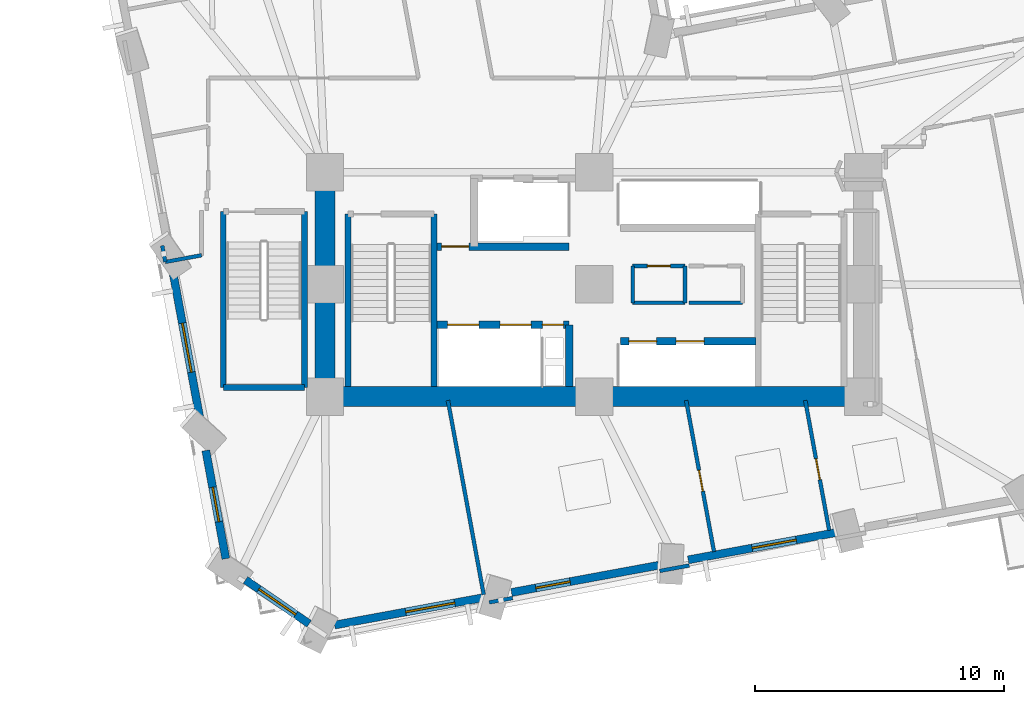
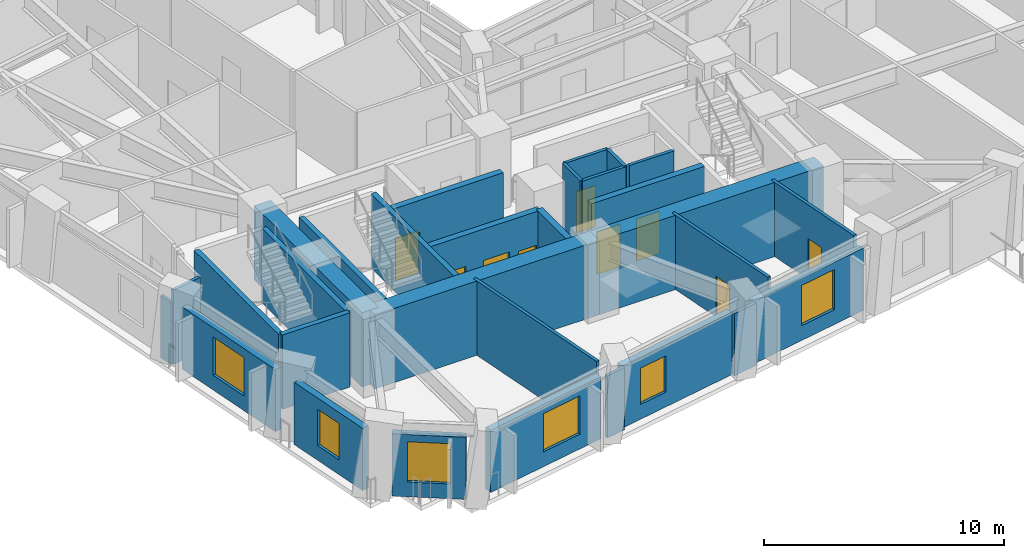
# One storey, part 7 of 16: 30 walls, 9 doors, 6 windows, 15 openings.
"""IFC4 building model written with IfcOpenShell, lengths in metres."""

from ifc_helpers import new_model, si_unit, direction, frame, frame_2d, origin, place, context, subcontext, project, spatial, rectangle, extrude, material, layer, layer_set, type_object, element, fill, save


model = new_model("IFC4")

# Units and contexts
model_context = context("Model", 3, precision=1e-05, world=origin(), true_north=direction((0.0, 1.0)))
body_context = subcontext(model_context, "Body", "Model", "MODEL_VIEW")
ifc_project = project(units=[si_unit("LENGTHUNIT", "METRE"), si_unit("AREAUNIT", "SQUARE_METRE"), si_unit("VOLUMEUNIT", "CUBIC_METRE"), si_unit("PLANEANGLEUNIT", "RADIAN"), si_unit("MASSUNIT", "GRAM", prefix="KILO")], contexts=[model_context])

# Site, building, storey
site_placement = place(None, origin())
site = spatial("IfcSite", under=ifc_project, at=site_placement, CompositionType="ELEMENT")
building_placement = place(site_placement, origin())
building = spatial("IfcBuilding", under=site, at=building_placement, Name="Gaonmaruhae Medical Tower", CompositionType="ELEMENT")
storey_placement = place(building_placement, frame((0.0, 0.0, 67.0)))
storey = spatial("IfcBuildingStorey", under=building, at=storey_placement, Name="L15", CompositionType="ELEMENT", Elevation=67.0)

# Walls
ifc_material_1 = material(Name="Concrete C60/75", Category="concrete")
ifc_layer_1 = layer(ifc_material_1, 0.800048828125)
ifc_layer_set_1 = layer_set([ifc_layer_1], Name="Concrete C60/75")
wall_type_1 = type_object("IfcWallType", Name="CW-800 Lower Core Shear Wall", PredefinedType="SHEAR", material=ifc_layer_set_1)
for number, where, z_axis, x_axis, name in (
    (1, (14.0, 7.800048828125, 0.0), (0.0, 0.0, 1.0), (1.0, 0.0, 0.0), "L15 Core Shear Wall CSW-S1"),
    (2, (24.800048828125, 7.800048828125, 0.0), (0.0, 0.0, 1.0), (1.0, 0.0, 0.0), "L15 Core Shear Wall CSW-S2"),
):
    element("IfcWall", number, at=place(storey_placement, frame(where, z_axis=z_axis, x_axis=x_axis)), inside=storey, type_object=wall_type_1, Name=name, PredefinedType="SHEAR", context=body_context, shape_type="SweptSolid", body=[
        extrude(rectangle(XDim=10.800048828125, YDim=0.800048828125, at=frame_2d((5.39990234375, 0.0))), origin(), (0.0, 0.0, 1.0), 3.780029296875),
    ])
wall_1_placement = place(storey_placement, frame((14.0, 16.800048828125, 0.0), z_axis=(0.0, 0.0, 1.0), x_axis=(0.0, -1.0, 0.0)))
element("IfcWall", 3, at=wall_1_placement, inside=storey, type_object=wall_type_1, Name="L15 Core Shear Wall CSW-W1", PredefinedType="SHEAR", context=body_context, shape_type="SweptSolid", body=[
    extrude(rectangle(XDim=9.0, YDim=0.800048828125, at=frame_2d((4.5, 0.0))), origin(), (0.0, 0.0, 1.0), 3.780029296875),
])

# Wall, opening, window
ifc_material_2 = material(Name="Precast concrete C45/55", Category="concrete")
ifc_layer_2 = layer(ifc_material_2, 0.320068359375)
ifc_layer_set_2 = layer_set([ifc_layer_2], Name="Precast concrete C45/55")
wall_type_2 = type_object("IfcWallType", Name="EW-320 Lower Precast Masonry-Frame Facade Wall", PredefinedType="SOLIDWALL", material=ifc_layer_set_2)
wall_2_placement = place(storey_placement, frame((20.322021484375, -0.274169921875, 0.0), z_axis=(0.0, 0.0, 1.0), x_axis=(-0.983414279578, -0.181373522662, 0.0)))
wall_2 = element("IfcWall", 4, at=wall_2_placement, inside=storey, type_object=wall_type_2, Name="L15 Precast Masonry-Frame Wall S01-S02", PredefinedType="SOLIDWALL", context=body_context, shape_type="SweptSolid", body=[
    extrude(rectangle(XDim=6.034423828125, YDim=0.320068359375, at=frame_2d((3.01708984375, 0.0))), origin(), (0.0, 0.0, 1.0), 3.1650390625),
])
opening_1_placement = place(wall_2_placement, frame((1.13330078125, 0.0, 0.75)))
opening_1 = element("IfcOpeningElement", 5, at=opening_1_placement, cuts=wall_2, Name="Opening WN-02", PredefinedType="OPENING", context=body_context, shape_type="SweptSolid", body=[
    extrude(rectangle(XDim=2.0, YDim=1.949951171875, at=frame_2d((1.0, 0.97509765625))), frame((0.0, 0.169921875, 0.0), z_axis=(0.0, -1.0, 0.0), x_axis=(1.0, 0.0, 0.0)), (0.0, 0.0, 1.0), 0.340087890625),
])
ifc_material_3 = material(Name="Anodised aluminium and Low-E double glazing", Category="aluminium")
window_type_1 = type_object("IfcWindowType", Name="WN-02 Double-Bed Ward Punched Window 2000x1950", PartitioningType="SINGLE_PANEL", PredefinedType="WINDOW", material=ifc_material_3)
window_1_placement = place(opening_1_placement, origin())
window_1 = element("IfcWindow", 6, at=window_1_placement, inside=storey, type_object=window_type_1, Name="L15 Modular Facade Window S01", OverallHeight=1.949951171875, OverallWidth=2.0, PartitioningType="SINGLE_PANEL", PredefinedType="WINDOW", context=body_context, shape_type="SweptSolid", body=[
    extrude(rectangle(XDim=2.0, YDim=1.949951171875, at=frame_2d((1.0, 0.97509765625))), frame((0.0, 0.030029296875, 0.0), z_axis=(0.0, -1.0, 0.0), x_axis=(1.0, 0.0, 0.0)), (0.0, 0.0, 1.0), 0.06005859375),
])
fill(opening_1, window_1)

wall_3_placement = place(storey_placement, frame((27.39111328125, 1.029541015625, 0.0), z_axis=(0.0, 0.0, 1.0), x_axis=(-0.983411421396, -0.18138901915, 0.0)))
wall_3 = element("IfcWall", 7, at=wall_3_placement, inside=storey, type_object=wall_type_2, Name="L15 Precast Masonry-Frame Wall S02-S03", PredefinedType="SOLIDWALL", context=body_context, shape_type="SweptSolid", body=[
    extrude(rectangle(XDim=6.005615234375, YDim=0.320068359375, at=frame_2d((3.0029296875, 0.0))), origin(), (0.0, 0.0, 1.0), 3.1650390625),
])
opening_2_placement = place(wall_3_placement, frame((3.613037109375, 0.0, 0.75)))
opening_2 = element("IfcOpeningElement", 8, at=opening_2_placement, cuts=wall_3, Name="Opening WN-03", PredefinedType="OPENING", context=body_context, shape_type="SweptSolid", body=[
    extrude(rectangle(XDim=1.39990234375, YDim=1.85009765625, at=frame_2d((0.699951171875, 0.925048828125))), frame((0.0, 0.169921875, 0.0), z_axis=(0.0, -1.0, 0.0), x_axis=(1.0, 0.0, 0.0)), (0.0, 0.0, 1.0), 0.340087890625),
])
window_type_2 = type_object("IfcWindowType", Name="WN-03 Isolation Ward Punched Window 1400x1850", PartitioningType="SINGLE_PANEL", PredefinedType="WINDOW", material=ifc_material_3)
window_2_placement = place(opening_2_placement, origin())
window_2 = element("IfcWindow", 9, at=window_2_placement, inside=storey, type_object=window_type_2, Name="L15 Modular Facade Window S02", OverallHeight=1.85009765625, OverallWidth=1.39990234375, PartitioningType="SINGLE_PANEL", PredefinedType="WINDOW", context=body_context, shape_type="SweptSolid", body=[
    extrude(rectangle(XDim=1.39990234375, YDim=1.85009765625, at=frame_2d((0.699951171875, 0.925048828125))), frame((0.0, 0.030029296875, 0.0), z_axis=(0.0, -1.0, 0.0), x_axis=(1.0, 0.0, 0.0)), (0.0, 0.0, 1.0), 0.06005859375),
])
fill(opening_2, window_2)

wall_4_placement = place(storey_placement, frame((34.46630859375, 2.33447265625, 0.0), z_axis=(0.0, 0.0, 1.0), x_axis=(-0.983412841191, -0.181381321478, 0.0)))
wall_4 = element("IfcWall", 10, at=wall_4_placement, inside=storey, type_object=wall_type_2, Name="L15 Precast Masonry-Frame Wall S03-S04", PredefinedType="SOLIDWALL", context=body_context, shape_type="SweptSolid", body=[
    extrude(rectangle(XDim=5.98974609375, YDim=0.320068359375, at=frame_2d((2.994873046875, 0.0))), origin(), (0.0, 0.0, 1.0), 3.1650390625),
])
opening_3_placement = place(wall_4_placement, frame((1.582275390625, 0.0, 0.75)))
opening_3 = element("IfcOpeningElement", 11, at=opening_3_placement, cuts=wall_4, Name="Opening WN-04", PredefinedType="OPENING", context=body_context, shape_type="SweptSolid", body=[
    extrude(rectangle(XDim=1.800048828125, YDim=2.050048828125, at=frame_2d((0.89990234375, 1.02490234375))), frame((0.0, 0.169921875, 0.0), z_axis=(0.0, -1.0, 0.0), x_axis=(1.0, 0.0, 0.0)), (0.0, 0.0, 1.0), 0.340087890625),
])
window_type_3 = type_object("IfcWindowType", Name="WN-04 Clinic & Consult Punched Window 1800x2050", PartitioningType="SINGLE_PANEL", PredefinedType="WINDOW", material=ifc_material_3)
window_3_placement = place(opening_3_placement, origin())
window_3 = element("IfcWindow", 12, at=window_3_placement, inside=storey, type_object=window_type_3, Name="L15 Modular Facade Window S03", OverallHeight=2.050048828125, OverallWidth=1.800048828125, PartitioningType="SINGLE_PANEL", PredefinedType="WINDOW", context=body_context, shape_type="SweptSolid", body=[
    extrude(rectangle(XDim=1.800048828125, YDim=2.050048828125, at=frame_2d((0.89990234375, 1.02490234375))), frame((0.0, 0.030029296875, 0.0), z_axis=(0.0, -1.0, 0.0), x_axis=(1.0, 0.0, 0.0)), (0.0, 0.0, 1.0), 0.06005859375),
])
fill(opening_3, window_3)

wall_5_placement = place(storey_placement, frame((9.0048828125, 6.81103515625, 0.0), z_axis=(0.0, 0.0, 1.0), x_axis=(-0.181406960864, 0.9834081119, 0.0)))
wall_5 = element("IfcWall", 13, at=wall_5_placement, inside=storey, type_object=wall_type_2, Name="L15 Precast Masonry-Frame Wall W05-W06", PredefinedType="SOLIDWALL", context=body_context, shape_type="SweptSolid", body=[
    extrude(rectangle(XDim=5.9970703125, YDim=0.320068359375, at=frame_2d((2.99853515625, 0.0))), origin(), (0.0, 0.0, 1.0), 3.1650390625),
])
opening_4_placement = place(wall_5_placement, frame((2.00048828125, 0.0, 0.75)))
opening_4 = element("IfcOpeningElement", 14, at=opening_4_placement, cuts=wall_5, Name="Opening WN-02", PredefinedType="OPENING", context=body_context, shape_type="SweptSolid", body=[
    extrude(rectangle(XDim=2.0, YDim=1.949951171875, at=frame_2d((1.0, 0.97509765625))), frame((0.0, 0.169921875, 0.0), z_axis=(0.0, -1.0, 0.0), x_axis=(1.0, 0.0, 0.0)), (0.0, 0.0, 1.0), 0.340087890625),
])
window_4_placement = place(opening_4_placement, origin())
window_4 = element("IfcWindow", 15, at=window_4_placement, inside=storey, type_object=window_type_1, Name="L15 Modular Facade Window W05", OverallHeight=1.949951171875, OverallWidth=2.0, PartitioningType="SINGLE_PANEL", PredefinedType="WINDOW", context=body_context, shape_type="SweptSolid", body=[
    extrude(rectangle(XDim=2.0, YDim=1.949951171875, at=frame_2d((1.0, 0.97509765625))), frame((0.0, 0.030029296875, 0.0), z_axis=(0.0, -1.0, 0.0), x_axis=(1.0, 0.0, 0.0)), (0.0, 0.0, 1.0), 0.06005859375),
])
fill(opening_4, window_4)

wall_6_placement = place(storey_placement, frame((10.0224609375, 1.293701171875, 0.0), z_axis=(0.0, 0.0, 1.0), x_axis=(-0.181380517101, 0.98341298955, 0.0)))
wall_6 = element("IfcWall", 16, at=wall_6_placement, inside=storey, type_object=wall_type_2, Name="L15 Precast Masonry-Frame Wall W06-W07", PredefinedType="SOLIDWALL", context=body_context, shape_type="SweptSolid", body=[
    extrude(rectangle(XDim=4.416259765625, YDim=0.320068359375, at=frame_2d((2.2080078125, 0.0))), origin(), (0.0, 0.0, 1.0), 3.1650390625),
])
opening_5_placement = place(wall_6_placement, frame((1.5107421875, 0.0, 0.75)))
opening_5 = element("IfcOpeningElement", 17, at=opening_5_placement, cuts=wall_6, Name="Opening WN-03", PredefinedType="OPENING", context=body_context, shape_type="SweptSolid", body=[
    extrude(rectangle(XDim=1.39990234375, YDim=1.85009765625, at=frame_2d((0.699951171875, 0.925048828125))), frame((0.0, 0.169921875, 0.0), z_axis=(0.0, -1.0, 0.0), x_axis=(1.0, 0.0, 0.0)), (0.0, 0.0, 1.0), 0.340087890625),
])
window_5_placement = place(opening_5_placement, origin())
window_5 = element("IfcWindow", 18, at=window_5_placement, inside=storey, type_object=window_type_2, Name="L15 Modular Facade Window W06", OverallHeight=1.85009765625, OverallWidth=1.39990234375, PartitioningType="SINGLE_PANEL", PredefinedType="WINDOW", context=body_context, shape_type="SweptSolid", body=[
    extrude(rectangle(XDim=1.39990234375, YDim=1.85009765625, at=frame_2d((0.699951171875, 0.925048828125))), frame((0.0, 0.030029296875, 0.0), z_axis=(0.0, -1.0, 0.0), x_axis=(1.0, 0.0, 0.0)), (0.0, 0.0, 1.0), 0.06005859375),
])
fill(opening_5, window_5)

wall_7_placement = place(storey_placement, frame((13.364990234375, -1.31689453125, 0.0), z_axis=(0.0, 0.0, 1.0), x_axis=(-0.823630261088, 0.567127140084, 0.0)))
wall_7 = element("IfcWall", 19, at=wall_7_placement, inside=storey, type_object=wall_type_2, Name="L15 Precast Masonry-Frame Wall W07-S01", PredefinedType="SOLIDWALL", context=body_context, shape_type="SweptSolid", body=[
    extrude(rectangle(XDim=3.09912109375, YDim=0.320068359375, at=frame_2d((1.549560546875, 0.0))), origin(), (0.0, 0.0, 1.0), 3.1650390625),
])
opening_6_placement = place(wall_7_placement, frame((0.649169921875, 0.0, 0.75)))
opening_6 = element("IfcOpeningElement", 20, at=opening_6_placement, cuts=wall_7, Name="Opening WN-04", PredefinedType="OPENING", context=body_context, shape_type="SweptSolid", body=[
    extrude(rectangle(XDim=1.800048828125, YDim=2.050048828125, at=frame_2d((0.89990234375, 1.02490234375))), frame((0.0, 0.169921875, 0.0), z_axis=(0.0, -1.0, 0.0), x_axis=(1.0, 0.0, 0.0)), (0.0, 0.0, 1.0), 0.340087890625),
])
window_6_placement = place(opening_6_placement, origin())
window_6 = element("IfcWindow", 21, at=window_6_placement, inside=storey, type_object=window_type_3, Name="L15 Modular Facade Window W07", OverallHeight=2.050048828125, OverallWidth=1.800048828125, PartitioningType="SINGLE_PANEL", PredefinedType="WINDOW", context=body_context, shape_type="SweptSolid", body=[
    extrude(rectangle(XDim=1.800048828125, YDim=2.050048828125, at=frame_2d((0.89990234375, 1.02490234375))), frame((0.0, 0.030029296875, 0.0), z_axis=(0.0, -1.0, 0.0), x_axis=(1.0, 0.0, 0.0)), (0.0, 0.0, 1.0), 0.06005859375),
])
fill(opening_6, window_6)

# Wall
ifc_material_4 = material(Name="Gypsum board partition", Category="gypsum")
ifc_layer_3 = layer(ifc_material_4, 0.14990234375)
ifc_layer_set_3 = layer_set([ifc_layer_3], Name="Gypsum board partition")
wall_type_3 = type_object("IfcWallType", Name="PW-150 Rated Clinical Corridor Partition", PredefinedType="PARTITIONING", material=ifc_layer_set_3)
wall_8_placement = place(storey_placement, frame((26.35009765625, 11.56005859375, 0.0), z_axis=(0.0, 0.0, 1.0), x_axis=(0.0, 1.0, 0.0)))
element("IfcWall", 22, at=wall_8_placement, inside=storey, type_object=wall_type_3, Name="L15 Interior Partition L15-CS1-1", PredefinedType="PARTITIONING", context=body_context, shape_type="SweptSolid", body=[
    extrude(rectangle(XDim=1.47998046875, YDim=0.14990234375, at=frame_2d((0.739990234375, 0.0))), origin(), (0.0, 0.0, 1.0), 3.780029296875),
])

# Wall, opening, door
wall_9_placement = place(storey_placement, frame((26.35009765625, 13.0400390625, 0.0), z_axis=(0.0, 0.0, 1.0), x_axis=(1.0, 0.0, 0.0)))
wall_9 = element("IfcWall", 23, at=wall_9_placement, inside=storey, type_object=wall_type_3, Name="L15 Interior Partition L15-CS1-2", PredefinedType="PARTITIONING", context=body_context, shape_type="SweptSolid", body=[
    extrude(rectangle(XDim=2.099853515625, YDim=0.14990234375, at=frame_2d((1.0498046875, 0.0))), origin(), (0.0, 0.0, 1.0), 3.780029296875),
])
opening_7_placement = place(wall_9_placement, frame((0.590087890625, 0.0, 0.0)))
opening_7 = element("IfcOpeningElement", 24, at=opening_7_placement, cuts=wall_9, Name="Opening UD-01", PredefinedType="OPENING", context=body_context, shape_type="SweptSolid", body=[
    extrude(rectangle(XDim=0.919921875, YDim=2.10009765625, at=frame_2d((0.4599609375, 1.050048828125))), frame((0.0, 0.0849609375, 0.0), z_axis=(0.0, -1.0, 0.0), x_axis=(1.0, 0.0, 0.0)), (0.0, 0.0, 1.0), 0.169921875),
])
ifc_material_5 = material(Name="Powder-coated steel utility door", Category="steel")
door_type_1 = type_object("IfcDoorType", Name="UD-01 Toilet, Utility & Housekeeping Door 920x2100", OperationType="NOTDEFINED", PredefinedType="DOOR", material=ifc_material_5)
door_1_placement = place(opening_7_placement, origin())
door_1 = element("IfcDoor", 25, at=door_1_placement, inside=storey, type_object=door_type_1, Name="L15 Accessible Staff Toilet Door", OperationType="SINGLE_SWING_RIGHT", OverallHeight=2.10009765625, OverallWidth=0.919921875, PredefinedType="DOOR", context=body_context, shape_type="SweptSolid", body=[
    extrude(rectangle(XDim=0.919921875, YDim=2.10009765625, at=frame_2d((0.4599609375, 1.050048828125))), frame((0.0, 0.02490234375, 0.0), z_axis=(0.0, -1.0, 0.0), x_axis=(1.0, 0.0, 0.0)), (0.0, 0.0, 1.0), 0.050048828125),
])
fill(opening_7, door_1)

# Walls
wall_10_placement = place(storey_placement, frame((28.449951171875, 13.0400390625, 0.0), z_axis=(0.0, 0.0, 1.0), x_axis=(0.0, -1.0, 0.0)))
element("IfcWall", 26, at=wall_10_placement, inside=storey, type_object=wall_type_3, Name="L15 Interior Partition L15-CS1-3", PredefinedType="PARTITIONING", context=body_context, shape_type="SweptSolid", body=[
    extrude(rectangle(XDim=1.47998046875, YDim=0.14990234375, at=frame_2d((0.739990234375, 0.0))), origin(), (0.0, 0.0, 1.0), 3.780029296875),
])
wall_11_placement = place(storey_placement, frame((28.449951171875, 11.56005859375, 0.0), z_axis=(0.0, 0.0, 1.0), x_axis=(-1.0, 0.0, 0.0)))
element("IfcWall", 27, at=wall_11_placement, inside=storey, type_object=wall_type_3, Name="L15 Interior Partition L15-CS1-4", PredefinedType="PARTITIONING", context=body_context, shape_type="SweptSolid", body=[
    extrude(rectangle(XDim=2.099853515625, YDim=0.14990234375, at=frame_2d((1.0498046875, 0.0))), origin(), (0.0, 0.0, 1.0), 3.780029296875),
])
wall_12_placement = place(storey_placement, frame((30.75, 11.56005859375, 0.0), z_axis=(0.0, 0.0, 1.0), x_axis=(-1.0, 0.0, 0.0)))
element("IfcWall", 28, at=wall_12_placement, inside=storey, type_object=wall_type_3, Name="L15 Interior Partition L15-CS2-7", PredefinedType="PARTITIONING", context=body_context, shape_type="SweptSolid", body=[
    extrude(rectangle(XDim=2.14990234375, YDim=0.14990234375, at=frame_2d((1.074951171875, 0.0))), origin(), (0.0, 0.0, 1.0), 3.780029296875),
])
wall_13_placement = place(storey_placement, frame((18.93408203125, 7.64306640625, 0.0), z_axis=(0.0, 0.0, 1.0), x_axis=(0.181265963897, -0.983434110824, 0.0)))
element("IfcWall", 29, at=wall_13_placement, inside=storey, type_object=wall_type_3, Name="L15 Interior Partition L15-SUP02-9", PredefinedType="PARTITIONING", context=body_context, shape_type="SweptSolid", body=[
    extrude(rectangle(XDim=7.92236328125, YDim=0.14990234375, at=frame_2d((3.961181640625, 0.0))), origin(), (0.0, 0.0, 1.0), 3.780029296875),
])
wall_14_placement = place(storey_placement, frame((21.527099609375, -0.285888671875, 0.0), z_axis=(0.0, 0.0, 1.0), x_axis=(-0.983327894435, -0.181841282513, 0.0)))
element("IfcWall", 30, at=wall_14_placement, inside=storey, type_object=wall_type_3, Name="L15 Interior Partition L15-SUP03-10", PredefinedType="PARTITIONING", context=body_context, shape_type="SweptSolid", body=[
    extrude(rectangle(XDim=0.951904296875, YDim=0.14990234375, at=frame_2d((0.47607421875, 0.0))), origin(), (0.0, 0.0, 1.0), 3.1650390625),
])
wall_15_placement = place(storey_placement, frame((28.617919921875, 1.02197265625, 0.0), z_axis=(0.0, 0.0, 1.0), x_axis=(-0.983343757315, -0.18175548121, 0.0)))
element("IfcWall", 31, at=wall_15_placement, inside=storey, type_object=wall_type_3, Name="L15 Interior Partition L15-SUP04-12", PredefinedType="PARTITIONING", context=body_context, shape_type="SweptSolid", body=[
    extrude(rectangle(XDim=1.204833984375, YDim=0.14990234375, at=frame_2d((0.6025390625, 0.0))), origin(), (0.0, 0.0, 1.0), 3.1650390625),
])

# Wall, opening, door
wall_16_placement = place(storey_placement, frame((28.492919921875, 7.64306640625, 0.0), z_axis=(0.0, 0.0, 1.0), x_axis=(0.181246028558, -0.983437785085, 0.0)))
wall_16 = element("IfcWall", 32, at=wall_16_placement, inside=storey, type_object=wall_type_3, Name="L15 Interior Partition L15-SUP04-13", PredefinedType="PARTITIONING", context=body_context, shape_type="SweptSolid", body=[
    extrude(rectangle(XDim=6.16943359375, YDim=0.14990234375, at=frame_2d((3.084716796875, 0.0))), origin(), (0.0, 0.0, 1.0), 3.780029296875),
])
opening_8_placement = place(wall_16_placement, frame((2.84521484375, 0.0, 0.0)))
opening_8 = element("IfcOpeningElement", 33, at=opening_8_placement, cuts=wall_16, Name="Opening AD-01", PredefinedType="OPENING", context=body_context, shape_type="SweptSolid", body=[
    extrude(rectangle(XDim=0.860107421875, YDim=2.06005859375, at=frame_2d((0.43017578125, 1.030029296875))), frame((0.0, 0.0849609375, 0.0), z_axis=(0.0, -1.0, 0.0), x_axis=(1.0, 0.0, 0.0)), (0.0, 0.0, 1.0), 0.169921875),
])
ifc_material_6 = material(Name="Powder-coated steel access door", Category="steel")
door_type_2 = type_object("IfcDoorType", Name="AD-01 Riser & Closet Access Fire Door 860x2060", OperationType="NOTDEFINED", PredefinedType="DOOR", material=ifc_material_6)
door_2_placement = place(opening_8_placement, origin())
door_2 = element("IfcDoor", 34, at=door_2_placement, inside=storey, type_object=door_type_2, Name="L15 Clinical Biomedical Charting Office Sliding Door", OperationType="SLIDING_TO_LEFT", OverallHeight=2.06005859375, OverallWidth=0.860107421875, PredefinedType="DOOR", context=body_context, shape_type="SweptSolid", body=[
    extrude(rectangle(XDim=0.860107421875, YDim=2.06005859375, at=frame_2d((0.43017578125, 1.030029296875))), frame((0.0, 0.02490234375, 0.0), z_axis=(0.0, -1.0, 0.0), x_axis=(1.0, 0.0, 0.0)), (0.0, 0.0, 1.0), 0.050048828125),
])
fill(opening_8, door_2)

wall_17_placement = place(storey_placement, frame((33.27197265625, 7.64306640625, 0.0), z_axis=(0.0, 0.0, 1.0), x_axis=(0.181243297431, -0.983438288423, 0.0)))
wall_17 = element("IfcWall", 35, at=wall_17_placement, inside=storey, type_object=wall_type_3, Name="L15 Interior Partition L15-SUP05-14", PredefinedType="PARTITIONING", context=body_context, shape_type="SweptSolid", body=[
    extrude(rectangle(XDim=5.302001953125, YDim=0.14990234375, at=frame_2d((2.65087890625, 0.0))), origin(), (0.0, 0.0, 1.0), 3.780029296875),
])
opening_9_placement = place(wall_17_placement, frame((2.373291015625, 0.0, 0.0)))
opening_9 = element("IfcOpeningElement", 36, at=opening_9_placement, cuts=wall_17, Name="Opening AD-01", PredefinedType="OPENING", context=body_context, shape_type="SweptSolid", body=[
    extrude(rectangle(XDim=0.860107421875, YDim=2.06005859375, at=frame_2d((0.43017578125, 1.030029296875))), frame((0.0, 0.0849609375, 0.0), z_axis=(0.0, -1.0, 0.0), x_axis=(1.0, 0.0, 0.0)), (0.0, 0.0, 1.0), 0.169921875),
])
door_3_placement = place(opening_9_placement, origin())
door_3 = element("IfcDoor", 37, at=door_3_placement, inside=storey, type_object=door_type_2, Name="L15 Clinical Biomedical Charting Office Sliding Door", OperationType="SLIDING_TO_LEFT", OverallHeight=2.06005859375, OverallWidth=0.860107421875, PredefinedType="DOOR", context=body_context, shape_type="SweptSolid", body=[
    extrude(rectangle(XDim=0.860107421875, YDim=2.06005859375, at=frame_2d((0.43017578125, 1.030029296875))), frame((0.0, 0.02490234375, 0.0), z_axis=(0.0, -1.0, 0.0), x_axis=(1.0, 0.0, 0.0)), (0.0, 0.0, 1.0), 0.050048828125),
])
fill(opening_9, door_3)

# Walls
wall_18_placement = place(storey_placement, frame((9.050048828125, 13.468994140625, 0.0), z_axis=(0.0, 0.0, 1.0), x_axis=(-0.983375843748, -0.181581799566, 0.0)))
element("IfcWall", 38, at=wall_18_placement, inside=storey, type_object=wall_type_3, Name="L15 Interior Partition L15-WOF12-45", PredefinedType="PARTITIONING", context=body_context, shape_type="SweptSolid", body=[
    extrude(rectangle(XDim=1.481689453125, YDim=0.14990234375, at=frame_2d((0.74072265625, 0.0))), origin(), (0.0, 0.0, 1.0), 3.780029296875),
])
wall_19_placement = place(storey_placement, frame((7.593017578125, 13.199951171875, 0.0), z_axis=(0.0, 0.0, 1.0), x_axis=(-0.181004527745, 0.983482262644, 0.0)))
element("IfcWall", 39, at=wall_19_placement, inside=storey, type_object=wall_type_3, Name="L15 Interior Partition L15-WOF12-46", PredefinedType="PARTITIONING", context=body_context, shape_type="SweptSolid", body=[
    extrude(rectangle(XDim=0.6689453125, YDim=0.14990234375, at=frame_2d((0.33447265625, 0.0))), origin(), (0.0, 0.0, 1.0), 3.1650390625),
])
ifc_material_7 = material(Name="Concrete C50/60", Category="concrete")
ifc_layer_4 = layer(ifc_material_7, 0.239990234375)
ifc_layer_set_4 = layer_set([ifc_layer_4], Name="Concrete C50/60")
wall_type_4 = type_object("IfcWallType", Name="SW-240 Dogleg Stair Tight Shaft Wall", PredefinedType="SOLIDWALL", material=ifc_layer_set_4)
for number, where, z_axis, x_axis, name in (
    (40, (18.3798828125, 15.1201171875, 0.0), (0.0, 0.0, 1.0), (0.0, -1.0, 0.0), "L15 ST-01 Stair Shaft Wall SHW-ST-01-E"),
    (41, (14.919921875, 8.199951171875, 0.0), (0.0, 0.0, 1.0), (0.0, 1.0, 0.0), "L15 ST-01 Stair Shaft Wall SHW-ST-01-W"),
):
    element("IfcWall", number, at=place(storey_placement, frame(where, z_axis=z_axis, x_axis=x_axis)), inside=storey, type_object=wall_type_4, Name=name, PredefinedType="SOLIDWALL", context=body_context, shape_type="SweptSolid", body=[
        extrude(rectangle(XDim=6.920166015625, YDim=0.239990234375, at=frame_2d((3.4599609375, 0.0))), origin(), (0.0, 0.0, 1.0), 3.780029296875),
    ])
wall_20_placement = place(storey_placement, frame((13.179931640625, 15.219970703125, 0.0), z_axis=(0.0, 0.0, 1.0), x_axis=(0.0, -1.0, 0.0)))
element("IfcWall", 42, at=wall_20_placement, inside=storey, type_object=wall_type_4, Name="L15 ST-03 Stair Shaft Wall SHW-ST-03-E", PredefinedType="SOLIDWALL", context=body_context, shape_type="SweptSolid", body=[
    extrude(rectangle(XDim=7.050048828125, YDim=0.239990234375, at=frame_2d((3.52490234375, 0.0))), origin(), (0.0, 0.0, 1.0), 3.780029296875),
])
wall_21_placement = place(storey_placement, frame((13.179931640625, 8.169921875, 0.0), z_axis=(0.0, 0.0, 1.0), x_axis=(-1.0, 0.0, 0.0)))
element("IfcWall", 43, at=wall_21_placement, inside=storey, type_object=wall_type_4, Name="L15 ST-03 Stair Shaft Wall SHW-ST-03-S", PredefinedType="SOLIDWALL", context=body_context, shape_type="SweptSolid", body=[
    extrude(rectangle(XDim=3.260009765625, YDim=0.239990234375, at=frame_2d((1.6298828125, 0.0))), origin(), (0.0, 0.0, 1.0), 3.780029296875),
])
wall_22_placement = place(storey_placement, frame((9.919921875, 8.169921875, 0.0), z_axis=(0.0, 0.0, 1.0), x_axis=(0.0, 1.0, 0.0)))
element("IfcWall", 44, at=wall_22_placement, inside=storey, type_object=wall_type_4, Name="L15 ST-03 Stair Shaft Wall SHW-ST-03-W", PredefinedType="SOLIDWALL", context=body_context, shape_type="SweptSolid", body=[
    extrude(rectangle(XDim=7.050048828125, YDim=0.239990234375, at=frame_2d((3.52490234375, 0.0))), origin(), (0.0, 0.0, 1.0), 3.780029296875),
])

# Wall, openings, doors
ifc_layer_5 = layer(ifc_material_7, 0.300048828125)
ifc_layer_set_5 = layer_set([ifc_layer_5], Name="Concrete C50/60")
wall_type_5 = type_object("IfcWallType", Name="SW-300 Stair & Lift Hoistway Shaft Wall", PredefinedType="SOLIDWALL", material=ifc_layer_set_5)
wall_23_placement = place(storey_placement, frame((18.5, 10.679931640625, 0.0), z_axis=(0.0, 0.0, 1.0), x_axis=(1.0, 0.0, 0.0)))
wall_23 = element("IfcWall", 45, at=wall_23_placement, inside=storey, type_object=wall_type_5, Name="L15 Shaft Enclosure Wall SHW-FFN", PredefinedType="SOLIDWALL", context=body_context, shape_type="SweptSolid", body=[
    extrude(rectangle(XDim=5.300048828125, YDim=0.300048828125, at=frame_2d((2.64990234375, 0.0))), origin(), (0.0, 0.0, 1.0), 3.780029296875),
])
opening_10_placement = place(wall_23_placement, frame((4.219970703125, 0.0, 0.0)))
opening_10 = element("IfcOpeningElement", 46, at=opening_10_placement, cuts=wall_23, Name="Opening AD-01", PredefinedType="OPENING", context=body_context, shape_type="SweptSolid", body=[
    extrude(rectangle(XDim=0.860107421875, YDim=2.06005859375, at=frame_2d((0.43017578125, 1.030029296875))), frame((0.0, 0.16015625, 0.0), z_axis=(0.0, -1.0, 0.0), x_axis=(1.0, 0.0, 0.0)), (0.0, 0.0, 1.0), 0.320068359375),
])
opening_11_placement = place(wall_23_placement, frame((0.425048828125, 0.0, 0.0)))
opening_11 = element("IfcOpeningElement", 47, at=opening_11_placement, cuts=wall_23, Name="Opening LD-F1", PredefinedType="OPENING", context=body_context, shape_type="SweptSolid", body=[
    extrude(rectangle(XDim=1.25, YDim=2.179931640625, at=frame_2d((0.625, 1.08984375))), frame((0.0, 0.16015625, 0.0), z_axis=(0.0, -1.0, 0.0), x_axis=(1.0, 0.0, 0.0)), (0.0, 0.0, 1.0), 0.320068359375),
])
opening_12_placement = place(wall_23_placement, frame((2.52490234375, 0.0, 0.0)))
opening_12 = element("IfcOpeningElement", 48, at=opening_12_placement, cuts=wall_23, Name="Opening LD-F1", PredefinedType="OPENING", context=body_context, shape_type="SweptSolid", body=[
    extrude(rectangle(XDim=1.25, YDim=2.179931640625, at=frame_2d((0.625, 1.08984375))), frame((0.0, 0.16015625, 0.0), z_axis=(0.0, -1.0, 0.0), x_axis=(1.0, 0.0, 0.0)), (0.0, 0.0, 1.0), 0.320068359375),
])
door_4_placement = place(opening_10_placement, origin())
door_4 = element("IfcDoor", 49, at=door_4_placement, inside=storey, type_object=door_type_2, Name="L15 Medical Gas and MEP Riser Access Door", OperationType="SINGLE_SWING_RIGHT", OverallHeight=2.06005859375, OverallWidth=0.860107421875, PredefinedType="DOOR", context=body_context, shape_type="SweptSolid", body=[
    extrude(rectangle(XDim=0.860107421875, YDim=2.06005859375, at=frame_2d((0.43017578125, 1.030029296875))), frame((0.0, 0.02490234375, 0.0), z_axis=(0.0, -1.0, 0.0), x_axis=(1.0, 0.0, 0.0)), (0.0, 0.0, 1.0), 0.050048828125),
])
fill(opening_10, door_4)
ifc_material_8 = material(Name="Brushed stainless steel 316L landing door", Category="steel")
door_type_3 = type_object("IfcDoorType", Name="LD-F1 Firefighting & Bed Lift Sliding Landing Door 1250x2180", OperationType="NOTDEFINED", PredefinedType="DOOR", material=ifc_material_8)
door_5_placement = place(opening_11_placement, origin())
door_5 = element("IfcDoor", 50, at=door_5_placement, inside=storey, type_object=door_type_3, Name="L15 Firefighting Lift Landing Door FFL-01", OperationType="DOUBLE_DOOR_SLIDING", OverallHeight=2.179931640625, OverallWidth=1.25, PredefinedType="DOOR", context=body_context, shape_type="SweptSolid", body=[
    extrude(rectangle(XDim=1.25, YDim=2.179931640625, at=frame_2d((0.625, 1.08984375))), frame((0.0, 0.02490234375, 0.0), z_axis=(0.0, -1.0, 0.0), x_axis=(1.0, 0.0, 0.0)), (0.0, 0.0, 1.0), 0.050048828125),
])
fill(opening_11, door_5)
door_6_placement = place(opening_12_placement, origin())
door_6 = element("IfcDoor", 51, at=door_6_placement, inside=storey, type_object=door_type_3, Name="L15 Firefighting Lift Landing Door FFL-02", OperationType="DOUBLE_DOOR_SLIDING", OverallHeight=2.179931640625, OverallWidth=1.25, PredefinedType="DOOR", context=body_context, shape_type="SweptSolid", body=[
    extrude(rectangle(XDim=1.25, YDim=2.179931640625, at=frame_2d((0.625, 1.08984375))), frame((0.0, 0.02490234375, 0.0), z_axis=(0.0, -1.0, 0.0), x_axis=(1.0, 0.0, 0.0)), (0.0, 0.0, 1.0), 0.050048828125),
])
fill(opening_12, door_6)

# Wall, opening, door
wall_24_placement = place(storey_placement, frame((18.5, 13.820068359375, 0.0), z_axis=(0.0, 0.0, 1.0), x_axis=(1.0, 0.0, 0.0)))
wall_24 = element("IfcWall", 52, at=wall_24_placement, inside=storey, type_object=wall_type_5, Name="L15 Shaft Enclosure Wall SHW-FFL", PredefinedType="SOLIDWALL", context=body_context, shape_type="SweptSolid", body=[
    extrude(rectangle(XDim=5.300048828125, YDim=0.300048828125, at=frame_2d((2.64990234375, 0.0))), origin(), (0.0, 0.0, 1.0), 3.780029296875),
])
opening_13_placement = place(wall_24_placement, frame((0.179931640625, 0.0, 0.0)))
opening_13 = element("IfcOpeningElement", 53, at=opening_13_placement, cuts=wall_24, Name="Opening FD-01", PredefinedType="OPENING", context=body_context, shape_type="SweptSolid", body=[
    extrude(rectangle(XDim=1.10009765625, YDim=2.14990234375, at=frame_2d((0.550048828125, 1.074951171875))), frame((0.0, 0.16015625, 0.0), z_axis=(0.0, -1.0, 0.0), x_axis=(1.0, 0.0, 0.0)), (0.0, 0.0, 1.0), 0.320068359375),
])
ifc_material_9 = material(Name="Powder-coated steel fire door", Category="steel")
door_type_4 = type_object("IfcDoorType", Name="FD-01 Escape Stair Protected Fire Door 1100x2150", OperationType="NOTDEFINED", PredefinedType="DOOR", material=ifc_material_9)
door_7_placement = place(opening_13_placement, origin())
door_7 = element("IfcDoor", 54, at=door_7_placement, inside=storey, type_object=door_type_4, Name="L15 Firefighting Lobby Smoke Door", OperationType="SINGLE_SWING_LEFT", OverallHeight=2.14990234375, OverallWidth=1.10009765625, PredefinedType="DOOR", context=body_context, shape_type="SweptSolid", body=[
    extrude(rectangle(XDim=1.10009765625, YDim=2.14990234375, at=frame_2d((0.550048828125, 1.074951171875))), frame((0.0, 0.02490234375, 0.0), z_axis=(0.0, -1.0, 0.0), x_axis=(1.0, 0.0, 0.0)), (0.0, 0.0, 1.0), 0.050048828125),
])
fill(opening_13, door_7)

# Wall
wall_25_placement = place(storey_placement, frame((23.800048828125, 8.199951171875, 0.0), z_axis=(0.0, 0.0, 1.0), x_axis=(0.0, 1.0, 0.0)))
element("IfcWall", 55, at=wall_25_placement, inside=storey, type_object=wall_type_5, Name="L15 Shaft Enclosure Wall SHW-FFE", PredefinedType="SOLIDWALL", context=body_context, shape_type="SweptSolid", body=[
    extrude(rectangle(XDim=2.47998046875, YDim=0.300048828125, at=frame_2d((1.239990234375, 0.0))), origin(), (0.0, 0.0, 1.0), 3.780029296875),
])

# Wall, openings, doors
wall_26_placement = place(storey_placement, frame((25.85009765625, 10.02001953125, 0.0), z_axis=(0.0, 0.0, 1.0), x_axis=(1.0, 0.0, 0.0)))
wall_26 = element("IfcWall", 56, at=wall_26_placement, inside=storey, type_object=wall_type_5, Name="L15 Shaft Enclosure Wall SHW-PLS", PredefinedType="SOLIDWALL", context=body_context, shape_type="SweptSolid", body=[
    extrude(rectangle(XDim=5.449951171875, YDim=0.300048828125, at=frame_2d((2.72509765625, 0.0))), origin(), (0.0, 0.0, 1.0), 3.780029296875),
])
opening_14_placement = place(wall_26_placement, frame((0.340087890625, 0.0, 0.0)))
opening_14 = element("IfcOpeningElement", 57, at=opening_14_placement, cuts=wall_26, Name="Opening LD-P1", PredefinedType="OPENING", context=body_context, shape_type="SweptSolid", body=[
    extrude(rectangle(XDim=1.1201171875, YDim=2.14990234375, at=frame_2d((0.56005859375, 1.074951171875))), frame((0.0, 0.16015625, 0.0), z_axis=(0.0, -1.0, 0.0), x_axis=(1.0, 0.0, 0.0)), (0.0, 0.0, 1.0), 0.320068359375),
])
opening_15_placement = place(wall_26_placement, frame((2.239990234375, 0.0, 0.0)))
opening_15 = element("IfcOpeningElement", 58, at=opening_15_placement, cuts=wall_26, Name="Opening LD-P1", PredefinedType="OPENING", context=body_context, shape_type="SweptSolid", body=[
    extrude(rectangle(XDim=1.1201171875, YDim=2.14990234375, at=frame_2d((0.56005859375, 1.074951171875))), frame((0.0, 0.16015625, 0.0), z_axis=(0.0, -1.0, 0.0), x_axis=(1.0, 0.0, 0.0)), (0.0, 0.0, 1.0), 0.320068359375),
])
ifc_material_10 = material(Name="Brushed stainless steel 304 landing door", Category="steel")
door_type_5 = type_object("IfcDoorType", Name="LD-P1 Passenger Lift Sliding Landing Door 1120x2150", OperationType="NOTDEFINED", PredefinedType="DOOR", material=ifc_material_10)
door_8_placement = place(opening_14_placement, origin())
door_8 = element("IfcDoor", 59, at=door_8_placement, inside=storey, type_object=door_type_5, Name="L15 Passenger Lift Landing Door PL-L1", OperationType="DOUBLE_DOOR_SLIDING", OverallHeight=2.14990234375, OverallWidth=1.1201171875, PredefinedType="DOOR", context=body_context, shape_type="SweptSolid", body=[
    extrude(rectangle(XDim=1.1201171875, YDim=2.14990234375, at=frame_2d((0.56005859375, 1.074951171875))), frame((0.0, 0.02490234375, 0.0), z_axis=(0.0, -1.0, 0.0), x_axis=(1.0, 0.0, 0.0)), (0.0, 0.0, 1.0), 0.050048828125),
])
fill(opening_14, door_8)
door_9_placement = place(opening_15_placement, origin())
door_9 = element("IfcDoor", 60, at=door_9_placement, inside=storey, type_object=door_type_5, Name="L15 Passenger Lift Landing Door PL-L2", OperationType="DOUBLE_DOOR_SLIDING", OverallHeight=2.14990234375, OverallWidth=1.1201171875, PredefinedType="DOOR", context=body_context, shape_type="SweptSolid", body=[
    extrude(rectangle(XDim=1.1201171875, YDim=2.14990234375, at=frame_2d((0.56005859375, 1.074951171875))), frame((0.0, 0.02490234375, 0.0), z_axis=(0.0, -1.0, 0.0), x_axis=(1.0, 0.0, 0.0)), (0.0, 0.0, 1.0), 0.050048828125),
])
fill(opening_15, door_9)

save(model, "model.ifc")
